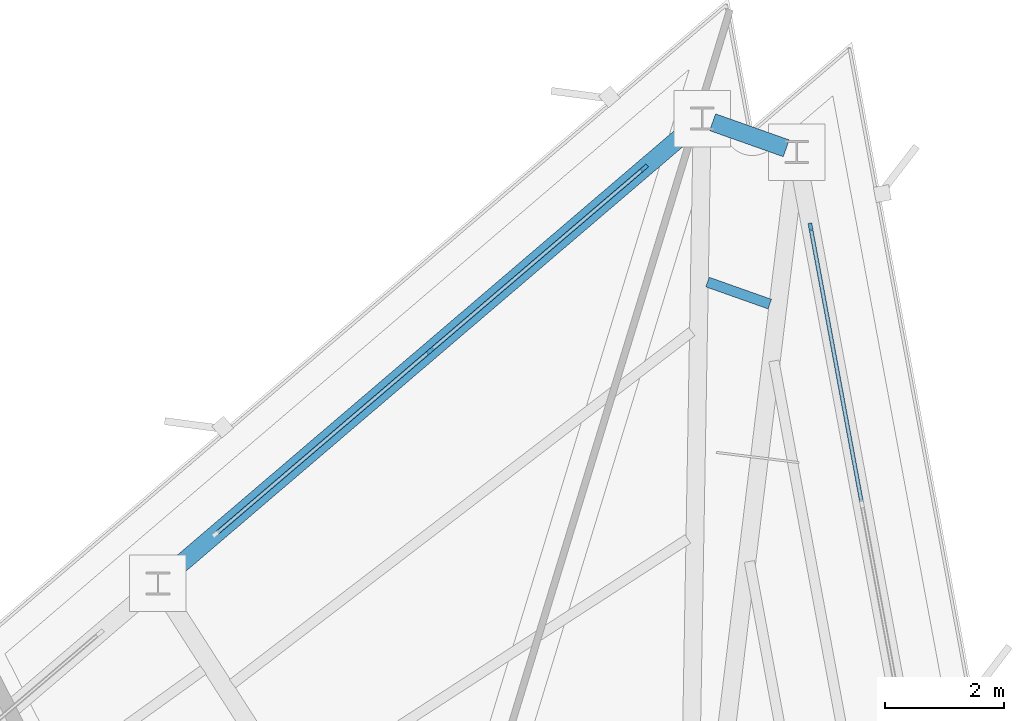
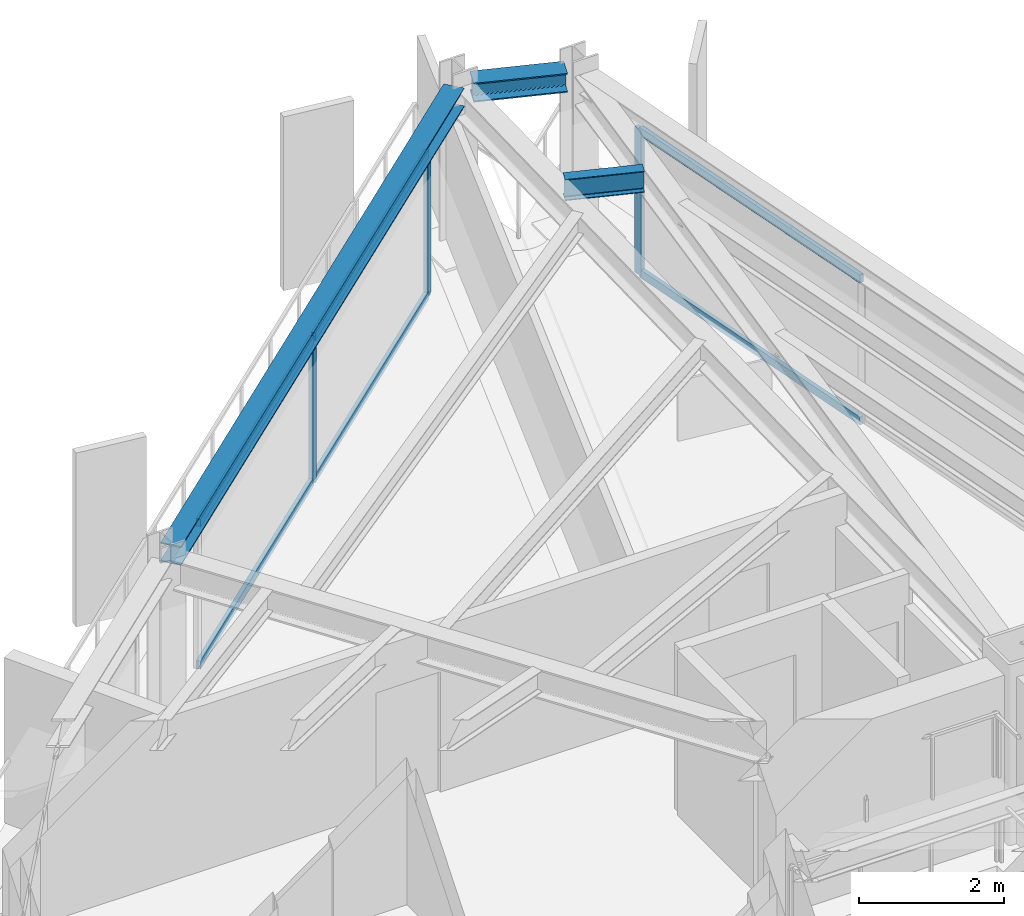
# One storey, part 7 of 14: 9 members, 3 beams, 2 elements without a shape of their own.
"""IFC4 building model written with IfcOpenShell, lengths in metres."""

import ifcopenshell
import ifcopenshell.guid

model = None  # the IFC model being written
_history = None  # IfcOwnerHistory: only IFC2X3 demands one
_inside = {}  # id of a spatial element -> (the spatial element, [elements in it])
_under = {}  # id of a project, library or spatial element -> (it, [spatial elements below it])
_declared = {}  # id of a project -> (the project, [libraries it declares])
_typed = {}  # id of a type object -> (the type object, [elements of that type])
_made_of = {}  # id of a material, layer set ... -> (it, [elements and type objects made of it])


def new_model(schema):
    """Start an empty IFC model of exactly this schema.

    Asked for "IFC4X3", IfcOpenShell would pick the latest addendum, in which some entities
    have other attributes; the version numbers below select the first issue.
    IFC2X3 requires an IfcOwnerHistory on every rooted entity: one is made here for all.
    """
    global model, _history
    if schema == "IFC4X3":
        model = ifcopenshell.file(schema_version=(4, 3, 0, 0))
    else:
        model = ifcopenshell.file(schema=schema)
    _inside.clear()
    _under.clear()
    _declared.clear()
    _typed.clear()
    _made_of.clear()
    _history = None
    if model.schema == "IFC2X3":
        org = make("IfcOrganization", Name="unknown")
        user = make(
            "IfcPersonAndOrganization",
            ThePerson=make("IfcPerson", FamilyName="unknown"),
            TheOrganization=org,
        )
        app = make(
            "IfcApplication",
            ApplicationDeveloper=org,
            Version="unknown",
            ApplicationFullName="unknown",
            ApplicationIdentifier="unknown",
        )
        _history = make(
            "IfcOwnerHistory",
            OwningUser=user,
            OwningApplication=app,
            ChangeAction="ADDED",
            CreationDate=0,
        )
    return model


def make(cls, **values):
    """One entity of the class cls with the attributes given. An attribute that is None is left unset."""
    return model.create_entity(
        cls, **{name: value for name, value in values.items() if value is not None}
    )


def rooted(cls, **values):
    """An entity with a GlobalId (a new one), such as an element, a storey or a relation."""
    return make(cls, GlobalId=ifcopenshell.guid.new(), OwnerHistory=_history, **values)


def si_unit(unit_type, name, prefix=None):
    """IfcSIUnit, for example si_unit("LENGTHUNIT", "METRE", prefix="MILLI")."""
    return make("IfcSIUnit", UnitType=unit_type, Prefix=prefix, Name=name)


def assignment(units):
    """IfcUnitAssignment: the units of a project."""
    return None if units is None else make("IfcUnitAssignment", Units=units)


def point(xyz):
    """IfcCartesianPoint."""
    return None if xyz is None else make("IfcCartesianPoint", Coordinates=xyz)


def direction(xyz):
    """IfcDirection."""
    return None if xyz is None else make("IfcDirection", DirectionRatios=xyz)


def frame(location, z_axis=None, x_axis=None):
    """IfcAxis2Placement3D, a coordinate frame: its origin and axes. An axis left out is left unset."""
    return make(
        "IfcAxis2Placement3D",
        Location=point(location),
        Axis=direction(z_axis),
        RefDirection=direction(x_axis),
    )


def frame_2d(location, x_axis=None):
    """IfcAxis2Placement2D, a coordinate frame in the plane: its origin and x axis."""
    return make(
        "IfcAxis2Placement2D", Location=point(location), RefDirection=direction(x_axis)
    )


def origin():
    """The frame at (0, 0, 0) with its axes left unset."""
    return frame((0.0, 0.0, 0.0))


def origin_2d():
    """The frame at (0, 0) in the plane with its x axis left unset."""
    return frame_2d((0.0, 0.0))


def place(relative_to, where):
    """IfcLocalPlacement: puts the frame where relative to a parent placement (None: the world)."""
    return make(
        "IfcLocalPlacement", PlacementRelTo=relative_to, RelativePlacement=where
    )


def context(
    kind, dimensions, precision=None, world=None, true_north=None, identifier=None
):
    """IfcGeometricRepresentationContext, for example the 3D "Model" context."""
    return make(
        "IfcGeometricRepresentationContext",
        ContextIdentifier=identifier,
        ContextType=kind,
        CoordinateSpaceDimension=dimensions,
        Precision=precision,
        WorldCoordinateSystem=world,
        TrueNorth=true_north,
    )


def subcontext(parent, identifier, kind, view, scale=None):
    """IfcGeometricRepresentationSubContext, for example "Body" below "Model"."""
    return make(
        "IfcGeometricRepresentationSubContext",
        ContextIdentifier=identifier,
        ContextType=kind,
        ParentContext=parent,
        TargetScale=scale,
        TargetView=view,
    )


def project(units=None, contexts=None):
    """IfcProject with its units and contexts."""
    return rooted(
        "IfcProject",
        Name="project",
        RepresentationContexts=contexts,
        UnitsInContext=assignment(units),
    )


def spatial(cls, under=None, at=None, **own):
    """A site, building, storey or space (cls), placed at a placement, below another one or the project."""
    s = rooted(cls, ObjectPlacement=at, **own)
    if under is not None:
        _under.setdefault(under.id(), (under, []))[1].append(s)
    return s


def profile(cls, at=None, kind="AREA", **sizes):
    """A parametric profile (cls). Its sizes go by their IFC names, for example OverallWidth=200.0."""
    return make(cls, ProfileType=kind, Position=at, **sizes)


def rectangle(**sizes):
    """IfcRectangleProfileDef."""
    return profile("IfcRectangleProfileDef", **sizes)


def i_section(**sizes):
    """IfcIShapeProfileDef."""
    return profile("IfcIShapeProfileDef", **sizes)


def extrude(swept, where, along, depth):
    """IfcExtrudedAreaSolid: the profile swept, set in the frame where, extruded along a direction by depth."""
    return make(
        "IfcExtrudedAreaSolid",
        SweptArea=swept,
        Position=where,
        ExtrudedDirection=direction(along),
        Depth=depth,
    )


def shape(context_of_items, identifier, shape_type, items):
    """IfcShapeRepresentation: the items that make up one representation, for example the "Body"."""
    return make(
        "IfcShapeRepresentation",
        ContextOfItems=context_of_items,
        RepresentationIdentifier=identifier,
        RepresentationType=shape_type,
        Items=items,
    )


def material(Name=None, Category=None):
    """IfcMaterial."""
    return make("IfcMaterial", Name=Name, Category=Category)


def layer(
    of_material, thickness, ventilated=None, Name=None, Category=None, Priority=None
):
    """IfcMaterialLayer: one layer of a wall or slab, of a material (None: an air gap)."""
    return make(
        "IfcMaterialLayer",
        Material=of_material,
        LayerThickness=thickness,
        IsVentilated=ventilated,
        Name=Name,
        Category=Category,
        Priority=Priority,
    )


def layer_set(layers, Name=None):
    """IfcMaterialLayerSet."""
    return make("IfcMaterialLayerSet", MaterialLayers=layers, LayerSetName=Name)


def material_profile(
    of_material, cross_section, Name=None, Category=None, Priority=None
):
    """IfcMaterialProfile: a cross section and its material."""
    return make(
        "IfcMaterialProfile",
        Name=Name,
        Material=of_material,
        Profile=cross_section,
        Priority=Priority,
        Category=Category,
    )


def profile_set(profiles, Name=None, composite=None):
    """IfcMaterialProfileSet."""
    return make(
        "IfcMaterialProfileSet",
        Name=Name,
        MaterialProfiles=profiles,
        CompositeProfile=composite,
    )


def made_of(thing, what):
    """Note that an element or type object is made of a material, layer set ...; save() writes the relation."""
    if what is not None:
        _made_of.setdefault(what.id(), (what, []))[1].append(thing)
    return thing


def type_object(cls, material=None, **own):
    """A type object (cls), such as IfcWallType, which elements share."""
    return made_of(rooted(cls, **own), material)


def element(
    cls,
    number,
    at=None,
    inside=None,
    cuts=None,
    type_object=None,
    material=None,
    context=None,
    identifier="Body",
    shape_type=None,
    held_by="IfcProductDefinitionShape",
    body=None,
    shapes=None,
    **own,
):
    """One element of the class cls, such as IfcWall. Its Tag is "e" and its number.

    at: its placement. inside: the storey or other place that contains it. cuts: it is an
    opening in that element (IfcRelVoidsElement). A single representation is given by context,
    identifier, shape_type and body (its items); several are given by shapes. held_by: the class
    of the entity that holds the representations. save() writes the other relations.
    """
    e = rooted(cls, Tag="e%d" % number, ObjectPlacement=at, **own)
    if body is not None:
        shapes = [shape(context, identifier, shape_type, body)]
    if shapes is not None:
        e.Representation = make(held_by, Representations=shapes)
    if inside is not None:
        _inside.setdefault(inside.id(), (inside, []))[1].append(e)
    if cuts is not None:
        rooted(
            "IfcRelVoidsElement", RelatingBuildingElement=cuts, RelatedOpeningElement=e
        )
    if type_object is not None:
        _typed.setdefault(type_object.id(), (type_object, []))[1].append(e)
    return made_of(e, material)


def aggregate(whole, parts):
    """IfcRelAggregates: a whole, such as a stair, and the parts it consists of."""
    return rooted("IfcRelAggregates", RelatingObject=whole, RelatedObjects=parts)


def save(model, path):
    """Write the relations noted so far, then the file.

    IfcRelAggregates (storeys below a building ...), IfcRelContainedInSpatialStructure (elements
    in a storey), IfcRelDefinesByType, IfcRelAssociatesMaterial and IfcRelDeclares: one each for
    every whole, place, type object, material and project.
    """
    for whole, parts in _under.values():
        aggregate(whole, parts)
    for where, things in _inside.values():
        rooted(
            "IfcRelContainedInSpatialStructure",
            RelatedElements=things,
            RelatingStructure=where,
        )
    for kind, things in _typed.values():
        rooted("IfcRelDefinesByType", RelatedObjects=things, RelatingType=kind)
    for what, things in _made_of.values():
        rooted("IfcRelAssociatesMaterial", RelatedObjects=things, RelatingMaterial=what)
    for by, libraries in _declared.values():
        rooted("IfcRelDeclares", RelatingContext=by, RelatedDefinitions=libraries)
    model.write(path)


model = new_model("IFC4")

# Units and contexts
model_context = context("Model", 3, precision=1e-05, world=origin(), true_north=direction((0.0, 1.0)))
body_context = subcontext(model_context, "Body", "Model", "MODEL_VIEW")
ifc_project = project(units=[si_unit("LENGTHUNIT", "METRE"), si_unit("AREAUNIT", "SQUARE_METRE"), si_unit("VOLUMEUNIT", "CUBIC_METRE"), si_unit("PLANEANGLEUNIT", "RADIAN"), si_unit("MASSUNIT", "GRAM", prefix="KILO")], contexts=[model_context])

# Site, building, storey
site_placement = place(None, origin())
site = spatial("IfcSite", under=ifc_project, at=site_placement, CompositionType="ELEMENT")
building_placement = place(site_placement, origin())
building = spatial("IfcBuilding", under=site, at=building_placement, Name="Rocaltana Carrier Exchange", CompositionType="ELEMENT")
storey_placement = place(building_placement, frame((0.0, 0.0, 175.360107421875)))
storey = spatial("IfcBuildingStorey", under=building, at=storey_placement, Name="L55", CompositionType="ELEMENT", Elevation=175.360107421875)

# Curtain wall, member
ifc_material_1 = material(Name="Aluminium 6063-T6", Category="aluminium")
ifc_layer = layer(ifc_material_1, 0.135009765625)
ifc_layer_set = layer_set([ifc_layer], Name="Aluminium 6063-T6")
curtain_wall_type = type_object("IfcCurtainWallType", Name="Upper-Mid Acoustic Curtain Wall CW-04", PredefinedType="NOTDEFINED", material=ifc_layer_set)
curtain_wall_1_placement = place(storey_placement, origin())
curtain_wall_1 = element("IfcCurtainWall", 1, at=curtain_wall_1_placement, inside=storey, type_object=curtain_wall_type, Name="L55 CW-04 Run CW-L55-F1S3", PredefinedType="NOTDEFINED")
ifc_material_2 = material(Name="Aluminium 6063-T6", Category="aluminium")
ifc_material_profile_1 = material_profile(ifc_material_2, rectangle(XDim=0.06494140625, YDim=0.135009765625, at=origin_2d()), Name="AL-65X135")
ifc_profile_set_1 = profile_set([ifc_material_profile_1], Name="Aluminium 6063-T6")
member_type_1 = type_object("IfcMemberType", Name="CW-04 Mullion AL-65X135", PredefinedType="MULLION", material=ifc_profile_set_1)
member_1_placement = place(storey_placement, frame((8.1474609375, 18.56298828125, 0.0), z_axis=(0.0, 0.0, 1.0), x_axis=(-0.983254796134, -0.182236126712, 0.0)))
member_1 = element("IfcMember", 2, at=member_1_placement, type_object=member_type_1, Name="CW-04 mullion 3", PredefinedType="MULLION", context=body_context, shape_type="SweptSolid", body=[
    extrude(rectangle(XDim=0.06494140625, YDim=0.135009765625, at=origin_2d()), origin(), (0.0, 0.0, 1.0), 2.447998046875),
])

# Curtain wall, members
curtain_wall_2_placement = place(storey_placement, origin())
curtain_wall_2 = element("IfcCurtainWall", 3, at=curtain_wall_2_placement, inside=storey, type_object=curtain_wall_type, Name="L55 CW-04 Run CW-L55-F2S1", PredefinedType="NOTDEFINED")
member_2_placement = place(storey_placement, frame((5.350341796875, 19.5537109375, 0.0), z_axis=(0.0, 0.0, 1.0), x_axis=(0.649447944918, -0.760406053922, 0.0)))
member_2 = element("IfcMember", 4, at=member_2_placement, type_object=member_type_1, Name="CW-04 mullion 1", PredefinedType="MULLION", context=body_context, shape_type="SweptSolid", body=[
    extrude(rectangle(XDim=0.06494140625, YDim=0.135009765625, at=origin_2d()), origin(), (0.0, 0.0, 1.0), 2.447998046875),
])
member_3_placement = place(storey_placement, frame((1.75048828125, 16.47900390625, 0.0), z_axis=(0.0, 0.0, 1.0), x_axis=(0.649447944918, -0.760406053922, 0.0)))
member_3 = element("IfcMember", 5, at=member_3_placement, type_object=member_type_1, Name="CW-04 mullion 2", PredefinedType="MULLION", context=body_context, shape_type="SweptSolid", body=[
    extrude(rectangle(XDim=0.06494140625, YDim=0.135009765625, at=origin_2d()), origin(), (0.0, 0.0, 1.0), 2.447998046875),
])

# Member
ifc_material_3 = material(Name="Aluminium 6063-T6", Category="aluminium")
ifc_material_profile_2 = material_profile(ifc_material_3, rectangle(XDim=0.06494140625, YDim=0.135009765625, at=origin_2d()), Name="AL-65X135")
ifc_profile_set_2 = profile_set([ifc_material_profile_2], Name="Aluminium 6063-T6")
member_type_2 = type_object("IfcMemberType", Name="CW-04 Transom AL-65X135", PredefinedType="USERDEFINED", material=ifc_profile_set_2)
member_4_placement = place(storey_placement, frame((9.00439453125, 13.940185546875, 0.032470703125), z_axis=(-0.182229691605, 0.983255988793, 0.0), x_axis=(-0.983255988793, -0.182229691605, 0.0)))
member_4 = element("IfcMember", 6, at=member_4_placement, type_object=member_type_2, Name="CW-04 transom 2.1", ObjectType="TRANSOM", PredefinedType="USERDEFINED", context=body_context, shape_type="SweptSolid", body=[
    extrude(rectangle(XDim=0.06494140625, YDim=0.135009765625, at=origin_2d()), origin(), (0.0, 0.0, 1.0), 4.6689453125),
])

member_5_placement = place(storey_placement, frame((9.00439453125, 13.940185546875, 2.415283203125), z_axis=(-0.182229691605, 0.983255988793, 0.0), x_axis=(-0.983255988793, -0.182229691605, 0.0)))
member_5 = element("IfcMember", 7, at=member_5_placement, type_object=member_type_2, Name="CW-04 transom 2.2", ObjectType="TRANSOM", PredefinedType="USERDEFINED", context=body_context, shape_type="SweptSolid", body=[
    extrude(rectangle(XDim=0.06494140625, YDim=0.135009765625, at=origin_2d()), origin(), (0.0, 0.0, 1.0), 4.6689453125),
])

aggregate(curtain_wall_1, [member_1, member_4, member_5])

member_6_placement = place(storey_placement, frame((5.32568359375, 19.532470703125, 0.032470703125), z_axis=(-0.760429086615, -0.649420976123, 0.0), x_axis=(0.649420976123, -0.760429086615, 0.0)))
member_6 = element("IfcMember", 8, at=member_6_placement, type_object=member_type_2, Name="CW-04 transom 1.1", ObjectType="TRANSOM", PredefinedType="USERDEFINED", context=body_context, shape_type="SweptSolid", body=[
    extrude(rectangle(XDim=0.06494140625, YDim=0.135009765625, at=origin_2d()), origin(), (0.0, 0.0, 1.0), 4.669189453125),
])

member_7_placement = place(storey_placement, frame((5.32568359375, 19.532470703125, 2.415283203125), z_axis=(-0.760429086615, -0.649420976123, 0.0), x_axis=(0.649420976123, -0.760429086615, 0.0)))
member_7 = element("IfcMember", 9, at=member_7_placement, type_object=member_type_2, Name="CW-04 transom 1.2", ObjectType="TRANSOM", PredefinedType="USERDEFINED", context=body_context, shape_type="SweptSolid", body=[
    extrude(rectangle(XDim=0.06494140625, YDim=0.135009765625, at=origin_2d()), origin(), (0.0, 0.0, 1.0), 4.669189453125),
])

member_8_placement = place(storey_placement, frame((1.7255859375, 16.4580078125, 0.032470703125), z_axis=(-0.760381209804, -0.649477032525, 0.0), x_axis=(0.649477032525, -0.760381209804, 0.0)))
member_8 = element("IfcMember", 10, at=member_8_placement, type_object=member_type_2, Name="CW-04 transom 2.1", ObjectType="TRANSOM", PredefinedType="USERDEFINED", context=body_context, shape_type="SweptSolid", body=[
    extrude(rectangle(XDim=0.06494140625, YDim=0.135009765625, at=origin_2d()), origin(), (0.0, 0.0, 1.0), 4.669189453125),
])

member_9_placement = place(storey_placement, frame((1.7255859375, 16.4580078125, 2.415283203125), z_axis=(-0.760381209804, -0.649477032525, 0.0), x_axis=(0.649477032525, -0.760381209804, 0.0)))
member_9 = element("IfcMember", 11, at=member_9_placement, type_object=member_type_2, Name="CW-04 transom 2.2", ObjectType="TRANSOM", PredefinedType="USERDEFINED", context=body_context, shape_type="SweptSolid", body=[
    extrude(rectangle(XDim=0.06494140625, YDim=0.135009765625, at=origin_2d()), origin(), (0.0, 0.0, 1.0), 4.669189453125),
])

aggregate(curtain_wall_2, [member_2, member_3, member_6, member_7, member_8, member_9])

# Beams
ifc_material_4 = material(Name="Steel S355", Category="steel")
ifc_material_profile_3 = material_profile(ifc_material_4, i_section(OverallWidth=0.172119140625, OverallDepth=0.35791015625, WebThickness=0.0078125, FlangeThickness=0.01318359375, FilletRadius=0.011962890625, at=origin_2d()), Name="W14X38")
ifc_profile_set_3 = profile_set([ifc_material_profile_3], Name="Steel S355")
beam_type_1 = type_object("IfcBeamType", Name="Floor Joist W14X38", PredefinedType="JOIST", material=ifc_profile_set_3)
beam_1_placement = place(storey_placement, frame((7.461181640625, 17.26708984375, 2.618896484375), z_axis=(-0.942673337603, 0.333716913825, 0.0), x_axis=(-0.333716913825, -0.942673337603, 0.0)))
element("IfcBeam", 12, at=beam_1_placement, inside=storey, type_object=beam_type_1, Name="FJ-L55-04-3", PredefinedType="JOIST", context=body_context, shape_type="SweptSolid", body=[
    extrude(i_section(OverallWidth=0.172119140625, OverallDepth=0.35791015625, WebThickness=0.0078125, FlangeThickness=0.01318359375, FilletRadius=0.011962890625, at=origin_2d()), origin(), (0.0, 0.0, 1.0), 1.110595703125),
])
ifc_material_5 = material(Name="Steel S355", Category="steel")
ifc_material_profile_4 = material_profile(ifc_material_5, i_section(OverallWidth=0.300048828125, OverallDepth=0.320068359375, WebThickness=0.011474609375, FlangeThickness=0.0205078125, FilletRadius=0.027099609375, at=origin_2d()), Name="HEB320")
ifc_profile_set_4 = profile_set([ifc_material_profile_4], Name="Steel S355")
beam_type_2 = type_object("IfcBeamType", Name="Spandrel Edge Beam HEB320", PredefinedType="SPANDREL", material=ifc_profile_set_4)
beam_2_placement = place(storey_placement, frame((7.739013671875, 19.885986328125, 2.637939453125), z_axis=(-0.94260895098, 0.333898735445, 0.0), x_axis=(-0.333898735445, -0.94260895098, 0.0)))
element("IfcBeam", 13, at=beam_2_placement, inside=storey, type_object=beam_type_2, Name="SP-L55-04", PredefinedType="SPANDREL", context=body_context, shape_type="SweptSolid", body=[
    extrude(i_section(OverallWidth=0.300048828125, OverallDepth=0.320068359375, WebThickness=0.011474609375, FlangeThickness=0.0205078125, FilletRadius=0.027099609375, at=origin_2d()), origin(), (0.0, 0.0, 1.0), 1.31396484375),
])
beam_3_placement = place(storey_placement, frame((6.184326171875, 20.26611328125, 2.637939453125), z_axis=(-0.760403616076, -0.64945079926, 0.0), x_axis=(0.64945079926, -0.760403616076, 0.0)))
element("IfcBeam", 14, at=beam_3_placement, inside=storey, type_object=beam_type_2, Name="SP-L55-05", PredefinedType="SPANDREL", context=body_context, shape_type="SweptSolid", body=[
    extrude(i_section(OverallWidth=0.300048828125, OverallDepth=0.320068359375, WebThickness=0.011474609375, FlangeThickness=0.0205078125, FilletRadius=0.027099609375, at=origin_2d()), origin(), (0.0, 0.0, 1.0), 11.662109375),
])

save(model, "model.ifc")
